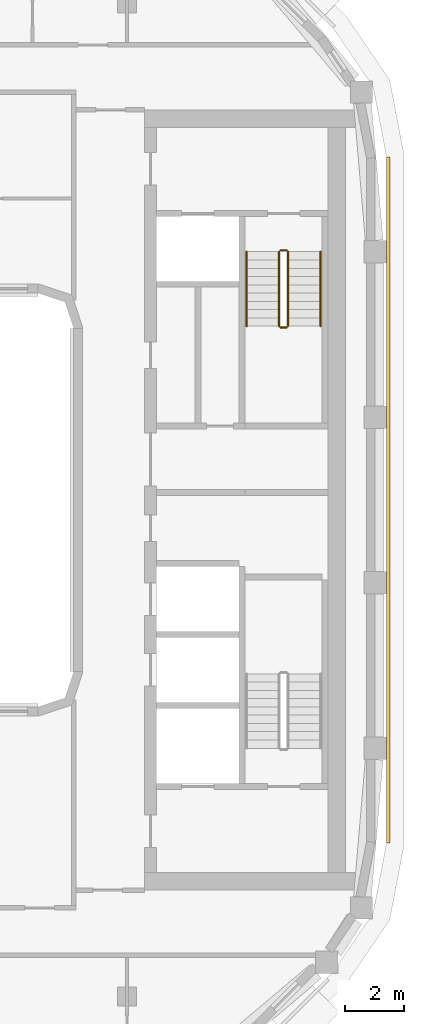
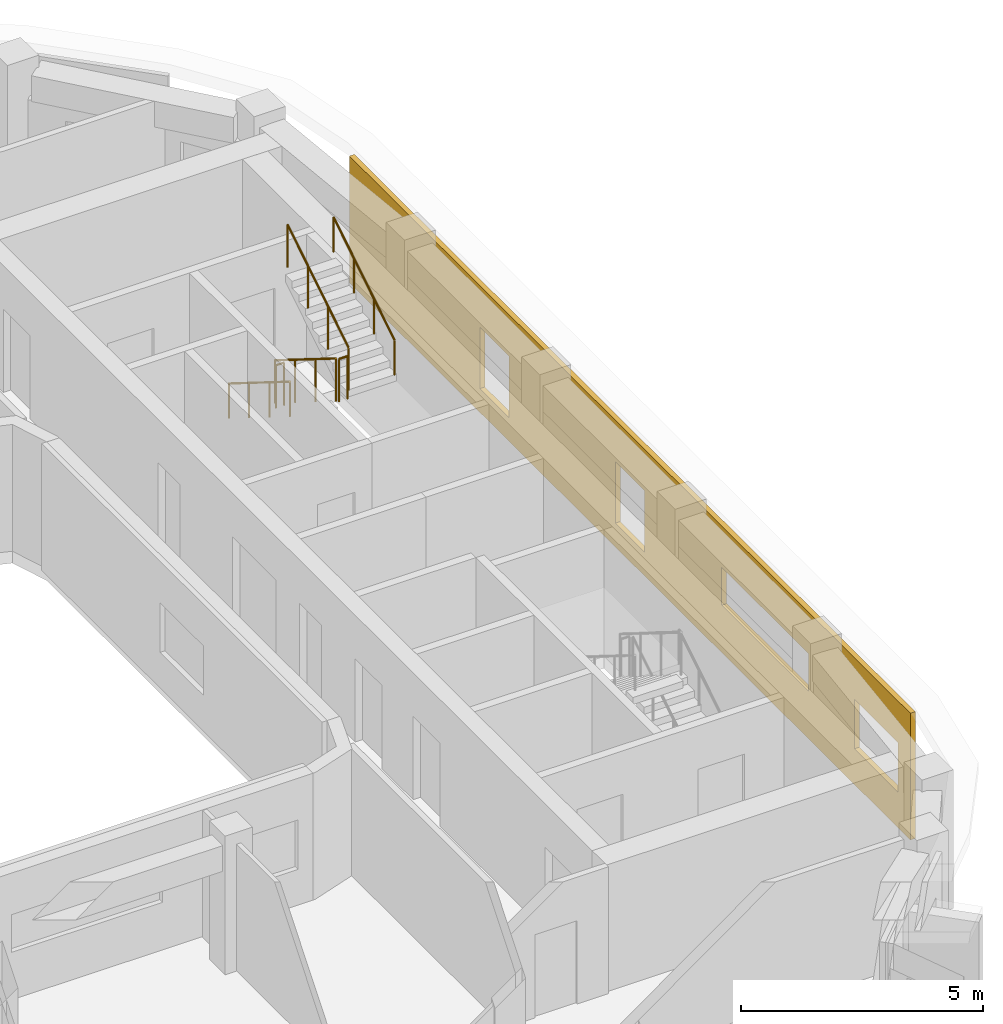
# One storey, part 15 of 16: 6 railings, 1 covering.
"""IFC4 building model written with IfcOpenShell, lengths in metres."""

from ifc_helpers import new_model, si_unit, direction, frame, origin, origin_2d, place, context, subcontext, project, spatial, polyline, circle, outline, extrude, material, layer, layer_set, type_object, element, save


model = new_model("IFC4")

# Units and contexts
model_context = context("Model", 3, precision=1e-05, world=origin(), true_north=direction((0.0, 1.0)))
body_context = subcontext(model_context, "Body", "Model", "MODEL_VIEW")
ifc_project = project(units=[si_unit("LENGTHUNIT", "METRE"), si_unit("AREAUNIT", "SQUARE_METRE"), si_unit("VOLUMEUNIT", "CUBIC_METRE"), si_unit("PLANEANGLEUNIT", "RADIAN"), si_unit("MASSUNIT", "GRAM", prefix="KILO")], contexts=[model_context])

# Site, building, storey
site_placement = place(None, origin())
site = spatial("IfcSite", under=ifc_project, at=site_placement, CompositionType="ELEMENT")
building_placement = place(site_placement, origin())
building = spatial("IfcBuilding", under=site, at=building_placement, Name="Kiln Ring Residences", CompositionType="ELEMENT")
storey_placement = place(building_placement, frame((0.0, 0.0, 276.699951171875)))
storey = spatial("IfcBuildingStorey", under=building, at=storey_placement, Name="L72", CompositionType="ELEMENT", Elevation=276.699951171875)

# Railings
ifc_material_1 = material(Name="Stainless steel", Category="steel")
railing_type_1 = type_object("IfcRailingType", Name="CORE-STAIR-GUARD", PredefinedType="GUARDRAIL", material=ifc_material_1)
railing_1_placement = place(storey_placement, frame((21.949951171875, 8.39990234375, 0.175048828125)))
element("IfcRailing", 1, at=railing_1_placement, inside=storey, type_object=railing_type_1, Name="L72 E-STN stair guard 1", PredefinedType="GUARDRAIL", context=body_context, shape_type="SweptSolid", body=[
    extrude(circle(Radius=0.02392578125, at=origin_2d()), frame((0.0, 0.0, 1.076171875), z_axis=(0.0, -0.848007534815, 0.529984170421), x_axis=(1.0, 0.0, 0.0)), (0.0, 0.0, 1.0), 2.9716796875),
    extrude(circle(Radius=0.02099609375, at=origin_2d()), origin(), (0.0, 0.0, 1.0), 1.052001953125),
    extrude(circle(Radius=0.02099609375, at=origin_2d()), frame((0.0, -0.840087890625, 0.52490234375)), (0.0, 0.0, 1.0), 1.052001953125),
    extrude(circle(Radius=0.02099609375, at=origin_2d()), frame((0.0, -1.679931640625, 1.050048828125)), (0.0, 0.0, 1.0), 1.052001953125),
    extrude(circle(Radius=0.02099609375, at=origin_2d()), frame((0.0, -2.52001953125, 1.574951171875)), (0.0, 0.0, 1.0), 1.052001953125),
])
railing_2_placement = place(storey_placement, frame((22.0, 5.830078125, 1.75)))
element("IfcRailing", 2, at=railing_2_placement, inside=storey, type_object=railing_type_1, Name="L72 E-STN stair guard 2", PredefinedType="GUARDRAIL", context=body_context, shape_type="SweptSolid", body=[
    extrude(circle(Radius=0.02392578125, at=origin_2d()), frame((0.0, 0.0, 1.076171875), z_axis=(1.0, 0.0, 0.0), x_axis=(0.0, 1.0, 0.0)), (0.0, 0.0, 1.0), 0.199951171875),
    extrude(circle(Radius=0.02099609375, at=origin_2d()), origin(), (0.0, 0.0, 1.0), 1.052001953125),
    extrude(circle(Radius=0.02099609375, at=origin_2d()), frame((0.199951171875, 0.0, 0.0)), (0.0, 0.0, 1.0), 1.052001953125),
])
railing_3_placement = place(storey_placement, frame((22.25, 5.8798828125, 1.925048828125)))
element("IfcRailing", 3, at=railing_3_placement, inside=storey, type_object=railing_type_1, Name="L72 E-STN stair guard 3", PredefinedType="GUARDRAIL", context=body_context, shape_type="SweptSolid", body=[
    extrude(circle(Radius=0.02392578125, at=origin_2d()), frame((0.0, 0.0, 1.076171875), z_axis=(0.0, 0.848007534815, 0.529984170421), x_axis=(-1.0, 0.0, 0.0)), (0.0, 0.0, 1.0), 2.9716796875),
    extrude(circle(Radius=0.02099609375, at=origin_2d()), origin(), (0.0, 0.0, 1.0), 1.052001953125),
    extrude(circle(Radius=0.02099609375, at=origin_2d()), frame((0.0, 0.840087890625, 0.52490234375)), (0.0, 0.0, 1.0), 1.052001953125),
    extrude(circle(Radius=0.02099609375, at=origin_2d()), frame((0.0, 1.679931640625, 1.050048828125)), (0.0, 0.0, 1.0), 1.052001953125),
    extrude(circle(Radius=0.02099609375, at=origin_2d()), frame((0.0, 2.52001953125, 1.574951171875)), (0.0, 0.0, 1.0), 1.052001953125),
])
railing_4_placement = place(storey_placement, frame((22.0, 8.449951171875, 0.0)))
element("IfcRailing", 4, at=railing_4_placement, inside=storey, type_object=railing_type_1, Name="L72 E-STN stair guard 4", PredefinedType="GUARDRAIL", context=body_context, shape_type="SweptSolid", body=[
    extrude(circle(Radius=0.02392578125, at=origin_2d()), frame((0.0, 0.0, 1.076171875), z_axis=(1.0, 0.0, 0.0), x_axis=(0.0, 1.0, 0.0)), (0.0, 0.0, 1.0), 0.199951171875),
    extrude(circle(Radius=0.02099609375, at=origin_2d()), origin(), (0.0, 0.0, 1.0), 1.052001953125),
    extrude(circle(Radius=0.02099609375, at=origin_2d()), frame((0.199951171875, 0.0, 0.0)), (0.0, 0.0, 1.0), 1.052001953125),
])
ifc_material_2 = material(Name="Stainless steel", Category="steel")
railing_type_2 = type_object("IfcRailingType", Name="CORE-STAIR-HANDRAIL", PredefinedType="HANDRAIL", material=ifc_material_2)
railing_5_placement = place(storey_placement, frame((20.85009765625, 8.39990234375, 0.175048828125)))
element("IfcRailing", 5, at=railing_5_placement, inside=storey, type_object=railing_type_2, Name="L72 E-STN stair handrail 1", PredefinedType="HANDRAIL", context=body_context, shape_type="SweptSolid", body=[
    extrude(circle(Radius=0.02392578125, at=origin_2d()), frame((0.0, 0.0, 0.8759765625), z_axis=(0.0, -0.848007534815, 0.529984170421), x_axis=(1.0, 0.0, 0.0)), (0.0, 0.0, 1.0), 2.9716796875),
    extrude(circle(Radius=0.02099609375, at=origin_2d()), origin(), (0.0, 0.0, 1.0), 0.851806640625),
    extrude(circle(Radius=0.02099609375, at=origin_2d()), frame((0.0, -0.840087890625, 0.52490234375)), (0.0, 0.0, 1.0), 0.851806640625),
    extrude(circle(Radius=0.02099609375, at=origin_2d()), frame((0.0, -1.679931640625, 1.050048828125)), (0.0, 0.0, 1.0), 0.851806640625),
    extrude(circle(Radius=0.02099609375, at=origin_2d()), frame((0.0, -2.52001953125, 1.574951171875)), (0.0, 0.0, 1.0), 0.851806640625),
])
railing_6_placement = place(storey_placement, frame((23.35009765625, 5.8798828125, 1.925048828125)))
element("IfcRailing", 6, at=railing_6_placement, inside=storey, type_object=railing_type_2, Name="L72 E-STN stair handrail 2", PredefinedType="HANDRAIL", context=body_context, shape_type="SweptSolid", body=[
    extrude(circle(Radius=0.02392578125, at=origin_2d()), frame((0.0, 0.0, 0.8759765625), z_axis=(0.0, 0.848007534815, 0.529984170421), x_axis=(-1.0, 0.0, 0.0)), (0.0, 0.0, 1.0), 2.9716796875),
    extrude(circle(Radius=0.02099609375, at=origin_2d()), origin(), (0.0, 0.0, 1.0), 0.851806640625),
    extrude(circle(Radius=0.02099609375, at=origin_2d()), frame((0.0, 0.840087890625, 0.52490234375)), (0.0, 0.0, 1.0), 0.851806640625),
    extrude(circle(Radius=0.02099609375, at=origin_2d()), frame((0.0, 1.679931640625, 1.050048828125)), (0.0, 0.0, 1.0), 0.851806640625),
    extrude(circle(Radius=0.02099609375, at=origin_2d()), frame((0.0, 2.52001953125, 1.574951171875)), (0.0, 0.0, 1.0), 0.851806640625),
])

# Covering
ifc_material_3 = material(Name="Brick masonry, dark clay brick", Category="masonry")
ifc_layer = layer(ifc_material_3, 0.1201171875)
ifc_layer_set = layer_set([ifc_layer], Name="RAINSCREEN PANEL 120")
covering_type = type_object("IfcCoveringType", Name="RAINSCREEN PANEL 120", PredefinedType="CLADDING", material=ifc_layer_set)
covering_placement = place(storey_placement, frame((25.635009765625, -11.60009765625, 0.0), z_axis=(0.0, 0.0, 1.0), x_axis=(0.0, 1.0, 0.0)))
element("IfcCovering", 7, at=covering_placement, inside=storey, type_object=covering_type, Name="RAINSCREEN L72", PredefinedType="CLADDING", context=body_context, shape_type="SweptSolid", body=[
    extrude(outline(polyline([(0.0, 0.0), (23.199951171875, 0.0), (23.199951171875, 3.199951171875), (0.0, 3.199951171875), (0.0, 0.0)]), holes=[polyline([(12.199951171875, 0.60009765625), (12.199951171875, 2.150146484375), (11.0, 2.150146484375), (11.0, 0.60009765625), (12.199951171875, 0.60009765625)]), polyline([(17.800048828125, 0.60009765625), (17.800048828125, 2.150146484375), (16.60009765625, 2.150146484375), (16.60009765625, 0.60009765625), (17.800048828125, 0.60009765625)]), polyline([(2.3125, 0.900146484375), (2.3125, 2.150146484375), (0.512451171875, 2.150146484375), (0.512451171875, 0.900146484375), (2.3125, 0.900146484375)]), polyline([(7.800048828125, 1.199951171875), (7.800048828125, 2.150146484375), (4.199951171875, 2.150146484375), (4.199951171875, 1.199951171875), (7.800048828125, 1.199951171875)])]), frame((0.0, 0.06005859375, 0.0), z_axis=(0.0, -1.0, 0.0), x_axis=(1.0, 0.0, 0.0)), (0.0, 0.0, 1.0), 0.1201171875),
])

save(model, "model.ifc")
